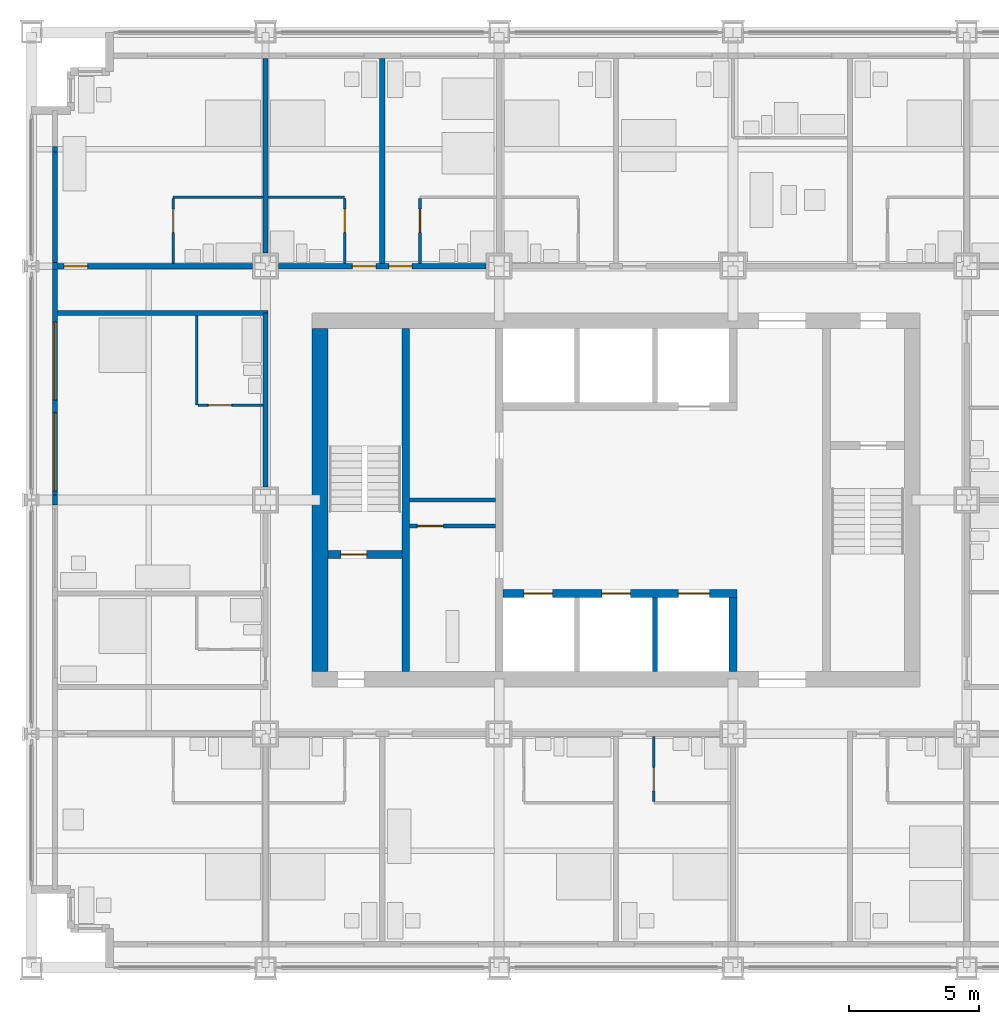
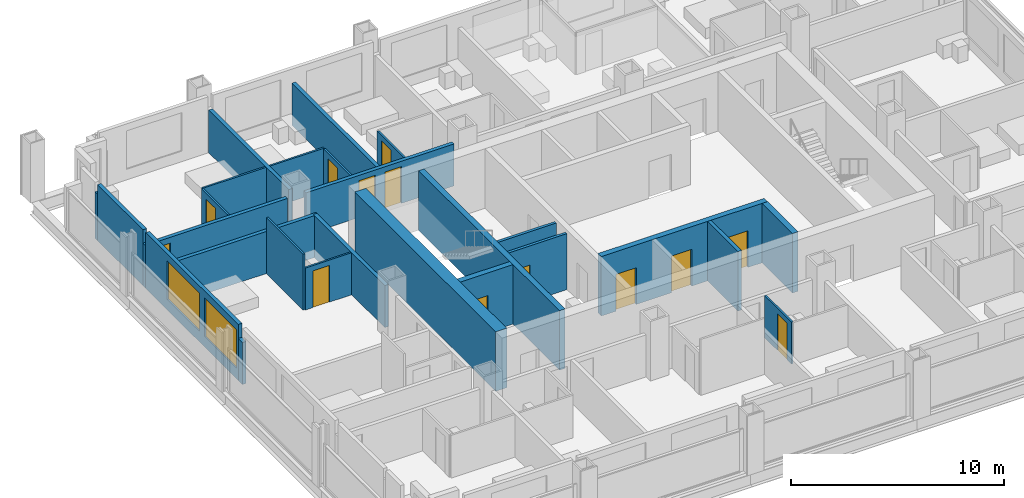
# One storey, part 10 of 16: 27 walls, 13 doors, 2 windows, 15 openings.
"""IFC4 building model written with IfcOpenShell, lengths in metres."""

from ifc_helpers import new_model, si_unit, direction, frame, frame_2d, origin, place, context, subcontext, project, spatial, rectangle, extrude, material, layer, layer_set, type_object, element, fill, save


model = new_model("IFC4")

# Units and contexts
model_context = context("Model", 3, precision=1e-05, world=origin(), true_north=direction((0.0, 1.0)))
body_context = subcontext(model_context, "Body", "Model", "MODEL_VIEW")
ifc_project = project(units=[si_unit("LENGTHUNIT", "METRE"), si_unit("AREAUNIT", "SQUARE_METRE"), si_unit("VOLUMEUNIT", "CUBIC_METRE"), si_unit("PLANEANGLEUNIT", "RADIAN"), si_unit("MASSUNIT", "GRAM", prefix="KILO")], contexts=[model_context])

# Site, building, storey
site_placement = place(None, origin())
site = spatial("IfcSite", under=ifc_project, at=site_placement, CompositionType="ELEMENT")
building_placement = place(site_placement, origin())
building = spatial("IfcBuilding", under=site, at=building_placement, Name="Loomwork Tower", CompositionType="ELEMENT")
storey_placement = place(building_placement, frame((0.0, 0.0, 97.60009765625)))
storey = spatial("IfcBuildingStorey", under=building, at=storey_placement, Name="L25", CompositionType="ELEMENT", Elevation=97.60009765625)

# Wall
ifc_material_1 = material(Name="Concrete 14000 psi (97 MPa)", Category="concrete")
ifc_layer_1 = layer(ifc_material_1, 0.300048828125)
ifc_layer_set_1 = layer_set([ifc_layer_1], Name="Core shear wall 300")
wall_type_1 = type_object("IfcWallType", Name="Core shear wall 300", PredefinedType="SHEAR", material=ifc_layer_set_1)
wall_1_placement = place(storey_placement, frame((14.39990234375, 11.39990234375, 0.0), z_axis=(0.0, 0.0, 1.0), x_axis=(0.0, 1.0, 0.0)))
element("IfcWall", 1, at=wall_1_placement, inside=storey, type_object=wall_type_1, Name="Stair A east wall L25", PredefinedType="SHEAR", context=body_context, shape_type="SweptSolid", body=[
    extrude(rectangle(XDim=13.2001953125, YDim=0.300048828125, at=frame_2d((6.60009765625, 0.0))), origin(), (0.0, 0.0, 1.0), 3.39990234375),
])

# Wall, opening, door
wall_2_placement = place(storey_placement, frame((11.39990234375, 15.89990234375, 0.0), z_axis=(0.0, 0.0, 1.0), x_axis=(1.0, 0.0, 0.0)))
wall_2 = element("IfcWall", 2, at=wall_2_placement, inside=storey, type_object=wall_type_1, Name="Stair A south wall L25", PredefinedType="SHEAR", context=body_context, shape_type="SweptSolid", body=[
    extrude(rectangle(XDim=2.85009765625, YDim=0.300048828125, at=frame_2d((1.425048828125, 0.0))), origin(), (0.0, 0.0, 1.0), 3.39990234375),
])
opening_1_placement = place(wall_2_placement, frame((0.5, 0.0, 0.0)))
opening_1 = element("IfcOpeningElement", 3, at=opening_1_placement, cuts=wall_2, Name="Opening D4", PredefinedType="OPENING", context=body_context, shape_type="SweptSolid", body=[
    extrude(rectangle(XDim=1.0, YDim=2.10009765625, at=frame_2d((0.5, 1.050048828125))), frame((0.0, 0.159912109375, 0.0), z_axis=(0.0, -1.0, 0.0), x_axis=(1.0, 0.0, 0.0)), (0.0, 0.0, 1.0), 0.320068359375),
])
ifc_material_2 = material(Name="Hollow metal door and frame")
door_type_1 = type_object("IfcDoorType", Name="Stair door 1000", OperationType="SINGLE_SWING_RIGHT", PredefinedType="DOOR", material=ifc_material_2)
door_1_placement = place(opening_1_placement, origin())
door_1 = element("IfcDoor", 4, at=door_1_placement, inside=storey, type_object=door_type_1, Name="Stair A door", OperationType="SINGLE_SWING_LEFT", OverallHeight=2.10009765625, OverallWidth=1.0, PredefinedType="DOOR", context=body_context, shape_type="SweptSolid", body=[
    extrude(rectangle(XDim=1.0, YDim=2.10009765625, at=frame_2d((0.5, 1.050048828125))), frame((0.0, 0.02490234375, 0.0), z_axis=(0.0, -1.0, 0.0), x_axis=(1.0, 0.0, 0.0)), (0.0, 0.0, 1.0), 0.050048828125),
])
fill(opening_1, door_1)

# Wall, openings, doors
wall_3_placement = place(storey_placement, frame((18.14990234375, 14.39990234375, 0.0), z_axis=(0.0, 0.0, 1.0), x_axis=(1.0, 0.0, 0.0)))
wall_3 = element("IfcWall", 5, at=wall_3_placement, inside=storey, type_object=wall_type_1, Name="Lift front wall south L25", PredefinedType="SHEAR", context=body_context, shape_type="SweptSolid", body=[
    extrude(rectangle(XDim=9.0, YDim=0.300048828125, at=frame_2d((4.5, 0.0))), origin(), (0.0, 0.0, 1.0), 3.39990234375),
])
opening_2_placement = place(wall_3_placement, frame((0.800048828125, 0.0, 0.0)))
opening_2 = element("IfcOpeningElement", 6, at=opening_2_placement, cuts=wall_3, Name="Opening LD1", PredefinedType="OPENING", context=body_context, shape_type="SweptSolid", body=[
    extrude(rectangle(XDim=1.10009765625, YDim=2.10009765625, at=frame_2d((0.550048828125, 1.050048828125))), frame((0.0, 0.159912109375, 0.0), z_axis=(0.0, -1.0, 0.0), x_axis=(1.0, 0.0, 0.0)), (0.0, 0.0, 1.0), 0.320068359375),
])
opening_3_placement = place(wall_3_placement, frame((3.800048828125, 0.0, 0.0)))
opening_3 = element("IfcOpeningElement", 7, at=opening_3_placement, cuts=wall_3, Name="Opening LD1", PredefinedType="OPENING", context=body_context, shape_type="SweptSolid", body=[
    extrude(rectangle(XDim=1.10009765625, YDim=2.10009765625, at=frame_2d((0.550048828125, 1.050048828125))), frame((0.0, 0.159912109375, 0.0), z_axis=(0.0, -1.0, 0.0), x_axis=(1.0, 0.0, 0.0)), (0.0, 0.0, 1.0), 0.320068359375),
])
opening_4_placement = place(wall_3_placement, frame((6.75, 0.0, 0.0)))
opening_4 = element("IfcOpeningElement", 8, at=opening_4_placement, cuts=wall_3, Name="Opening LD2", PredefinedType="OPENING", context=body_context, shape_type="SweptSolid", body=[
    extrude(rectangle(XDim=1.199951171875, YDim=2.10009765625, at=frame_2d((0.60009765625, 1.050048828125))), frame((0.0, 0.159912109375, 0.0), z_axis=(0.0, -1.0, 0.0), x_axis=(1.0, 0.0, 0.0)), (0.0, 0.0, 1.0), 0.320068359375),
])
ifc_material_3 = material(Name="Hollow metal door and frame")
door_type_2 = type_object("IfcDoorType", Name="Lift landing door 1100", OperationType="SLIDING_TO_LEFT", PredefinedType="DOOR", material=ifc_material_3)
door_2_placement = place(opening_2_placement, origin())
door_2 = element("IfcDoor", 9, at=door_2_placement, inside=storey, type_object=door_type_2, Name="Lift landing door LB1", OperationType="SLIDING_TO_LEFT", OverallHeight=2.10009765625, OverallWidth=1.10009765625, PredefinedType="DOOR", context=body_context, shape_type="SweptSolid", body=[
    extrude(rectangle(XDim=1.10009765625, YDim=2.10009765625, at=frame_2d((0.550048828125, 1.050048828125))), frame((0.0, 0.02490234375, 0.0), z_axis=(0.0, -1.0, 0.0), x_axis=(1.0, 0.0, 0.0)), (0.0, 0.0, 1.0), 0.050048828125),
])
fill(opening_2, door_2)
door_3_placement = place(opening_3_placement, origin())
door_3 = element("IfcDoor", 10, at=door_3_placement, inside=storey, type_object=door_type_2, Name="Lift landing door LB2", OperationType="SLIDING_TO_LEFT", OverallHeight=2.10009765625, OverallWidth=1.10009765625, PredefinedType="DOOR", context=body_context, shape_type="SweptSolid", body=[
    extrude(rectangle(XDim=1.10009765625, YDim=2.10009765625, at=frame_2d((0.550048828125, 1.050048828125))), frame((0.0, 0.02490234375, 0.0), z_axis=(0.0, -1.0, 0.0), x_axis=(1.0, 0.0, 0.0)), (0.0, 0.0, 1.0), 0.050048828125),
])
fill(opening_3, door_3)
ifc_material_4 = material(Name="Hollow metal door and frame")
door_type_3 = type_object("IfcDoorType", Name="Lift landing door 1200", OperationType="SLIDING_TO_LEFT", PredefinedType="DOOR", material=ifc_material_4)
door_4_placement = place(opening_4_placement, origin())
door_4 = element("IfcDoor", 11, at=door_4_placement, inside=storey, type_object=door_type_3, Name="Lift landing door LF1", OperationType="SLIDING_TO_LEFT", OverallHeight=2.10009765625, OverallWidth=1.199951171875, PredefinedType="DOOR", context=body_context, shape_type="SweptSolid", body=[
    extrude(rectangle(XDim=1.199951171875, YDim=2.10009765625, at=frame_2d((0.60009765625, 1.050048828125))), frame((0.0, 0.02490234375, 0.0), z_axis=(0.0, -1.0, 0.0), x_axis=(1.0, 0.0, 0.0)), (0.0, 0.0, 1.0), 0.050048828125),
])
fill(opening_4, door_4)

# Walls
wall_4_placement = place(storey_placement, frame((27.0, 11.39990234375, 0.0), z_axis=(0.0, 0.0, 1.0), x_axis=(0.0, 1.0, 0.0)))
element("IfcWall", 12, at=wall_4_placement, inside=storey, type_object=wall_type_1, Name="Lift shaft end wall south L25", PredefinedType="SHEAR", context=body_context, shape_type="SweptSolid", body=[
    extrude(rectangle(XDim=2.85009765625, YDim=0.300048828125, at=frame_2d((1.425048828125, 0.0))), origin(), (0.0, 0.0, 1.0), 3.39990234375),
])
ifc_material_5 = material(Name="Concrete 14000 psi (97 MPa)", Category="concrete")
ifc_layer_2 = layer(ifc_material_5, 0.60009765625)
ifc_layer_set_2 = layer_set([ifc_layer_2], Name="Core shear wall 600")
wall_type_2 = type_object("IfcWallType", Name="Core shear wall 600", PredefinedType="SHEAR", material=ifc_layer_set_2)
wall_5_placement = place(storey_placement, frame((11.10009765625, 11.39990234375, 0.0), z_axis=(0.0, 0.0, 1.0), x_axis=(0.0, 1.0, 0.0)))
element("IfcWall", 13, at=wall_5_placement, inside=storey, type_object=wall_type_2, Name="Core wall west L25", PredefinedType="SHEAR", context=body_context, shape_type="SweptSolid", body=[
    extrude(rectangle(XDim=13.2001953125, YDim=0.60009765625, at=frame_2d((6.60009765625, 0.0))), origin(), (0.0, 0.0, 1.0), 3.39990234375),
])

# Wall, opening, door
ifc_material_6 = material(Name="Gypsum board on steel studs, one-hour", Category="steel")
ifc_layer_3 = layer(ifc_material_6, 0.199951171875)
ifc_layer_set_3 = layer_set([ifc_layer_3], Name="Corridor wall 200")
wall_type_3 = type_object("IfcWallType", Name="Corridor wall 200", PredefinedType="PARTITIONING", material=ifc_layer_set_3)
wall_6_placement = place(storey_placement, frame((1.0, 27.0, 0.0), z_axis=(0.0, 0.0, 1.0), x_axis=(1.0, 0.0, 0.0)))
wall_6 = element("IfcWall", 14, at=wall_6_placement, inside=storey, type_object=wall_type_3, Name="North corridor wall 1", PredefinedType="PARTITIONING", context=body_context, shape_type="SweptSolid", body=[
    extrude(rectangle(XDim=7.5, YDim=0.199951171875, at=frame_2d((3.75, 0.0))), origin(), (0.0, 0.0, 1.0), 2.43798828125),
])
opening_5_placement = place(wall_6_placement, frame((0.25, 0.0, 0.0)))
opening_5 = element("IfcOpeningElement", 15, at=opening_5_placement, cuts=wall_6, Name="Opening D1", PredefinedType="OPENING", context=body_context, shape_type="SweptSolid", body=[
    extrude(rectangle(XDim=0.89990234375, YDim=2.10009765625, at=frame_2d((0.449951171875, 1.050048828125))), frame((0.0, 0.10986328125, 0.0), z_axis=(0.0, -1.0, 0.0), x_axis=(1.0, 0.0, 0.0)), (0.0, 0.0, 1.0), 0.219970703125),
])
ifc_material_7 = material(Name="Hollow metal door and frame")
door_type_4 = type_object("IfcDoorType", Name="Guest room entry door 900", OperationType="SINGLE_SWING_LEFT", PredefinedType="DOOR", material=ifc_material_7)
door_5_placement = place(opening_5_placement, origin())
door_5 = element("IfcDoor", 16, at=door_5_placement, inside=storey, type_object=door_type_4, Name="Guest room entry door L25 7", OperationType="SINGLE_SWING_LEFT", OverallHeight=2.10009765625, OverallWidth=0.89990234375, PredefinedType="DOOR", context=body_context, shape_type="SweptSolid", body=[
    extrude(rectangle(XDim=0.89990234375, YDim=2.10009765625, at=frame_2d((0.449951171875, 1.050048828125))), frame((0.0, 0.02490234375, 0.0), z_axis=(0.0, -1.0, 0.0), x_axis=(1.0, 0.0, 0.0)), (0.0, 0.0, 1.0), 0.050048828125),
])
fill(opening_5, door_5)

# Wall, openings, doors
wall_7_placement = place(storey_placement, frame((9.5, 27.0, 0.0), z_axis=(0.0, 0.0, 1.0), x_axis=(1.0, 0.0, 0.0)))
wall_7 = element("IfcWall", 17, at=wall_7_placement, inside=storey, type_object=wall_type_3, Name="North corridor wall 2", PredefinedType="PARTITIONING", context=body_context, shape_type="SweptSolid", body=[
    extrude(rectangle(XDim=8.0, YDim=0.199951171875, at=frame_2d((4.0, 0.0))), origin(), (0.0, 0.0, 1.0), 2.40478515625),
])
opening_6_placement = place(wall_7_placement, frame((2.85009765625, 0.0, 0.0)))
opening_6 = element("IfcOpeningElement", 18, at=opening_6_placement, cuts=wall_7, Name="Opening D1", PredefinedType="OPENING", context=body_context, shape_type="SweptSolid", body=[
    extrude(rectangle(XDim=0.89990234375, YDim=2.10009765625, at=frame_2d((0.449951171875, 1.050048828125))), frame((0.0, 0.10986328125, 0.0), z_axis=(0.0, -1.0, 0.0), x_axis=(1.0, 0.0, 0.0)), (0.0, 0.0, 1.0), 0.219970703125),
])
opening_7_placement = place(wall_7_placement, frame((4.25, 0.0, 0.0)))
opening_7 = element("IfcOpeningElement", 19, at=opening_7_placement, cuts=wall_7, Name="Opening D1", PredefinedType="OPENING", context=body_context, shape_type="SweptSolid", body=[
    extrude(rectangle(XDim=0.89990234375, YDim=2.10009765625, at=frame_2d((0.449951171875, 1.050048828125))), frame((0.0, 0.10986328125, 0.0), z_axis=(0.0, -1.0, 0.0), x_axis=(1.0, 0.0, 0.0)), (0.0, 0.0, 1.0), 0.219970703125),
])
door_6_placement = place(opening_6_placement, origin())
door_6 = element("IfcDoor", 20, at=door_6_placement, inside=storey, type_object=door_type_4, Name="Guest room entry door L25 8", OperationType="SINGLE_SWING_RIGHT", OverallHeight=2.10009765625, OverallWidth=0.89990234375, PredefinedType="DOOR", context=body_context, shape_type="SweptSolid", body=[
    extrude(rectangle(XDim=0.89990234375, YDim=2.10009765625, at=frame_2d((0.449951171875, 1.050048828125))), frame((0.0, 0.02490234375, 0.0), z_axis=(0.0, -1.0, 0.0), x_axis=(1.0, 0.0, 0.0)), (0.0, 0.0, 1.0), 0.050048828125),
])
fill(opening_6, door_6)
door_7_placement = place(opening_7_placement, origin())
door_7 = element("IfcDoor", 21, at=door_7_placement, inside=storey, type_object=door_type_4, Name="Guest room entry door L25 9", OperationType="SINGLE_SWING_LEFT", OverallHeight=2.10009765625, OverallWidth=0.89990234375, PredefinedType="DOOR", context=body_context, shape_type="SweptSolid", body=[
    extrude(rectangle(XDim=0.89990234375, YDim=2.10009765625, at=frame_2d((0.449951171875, 1.050048828125))), frame((0.0, 0.02490234375, 0.0), z_axis=(0.0, -1.0, 0.0), x_axis=(1.0, 0.0, 0.0)), (0.0, 0.0, 1.0), 0.050048828125),
])
fill(opening_7, door_7)

# Walls
wall_8_placement = place(storey_placement, frame((9.0, 18.5, 0.0), z_axis=(0.0, 0.0, 1.0), x_axis=(0.0, 1.0, 0.0)))
element("IfcWall", 22, at=wall_8_placement, inside=storey, type_object=wall_type_3, Name="West corridor wall 2", PredefinedType="PARTITIONING", context=body_context, shape_type="SweptSolid", body=[
    extrude(rectangle(XDim=6.699951171875, YDim=0.199951171875, at=frame_2d((3.35009765625, 0.0))), origin(), (0.0, 0.0, 1.0), 2.40478515625),
])
wall_9_placement = place(storey_placement, frame((1.0, 25.199951171875, 0.0), z_axis=(0.0, 0.0, 1.0), x_axis=(1.0, 0.0, 0.0)))
element("IfcWall", 23, at=wall_9_placement, inside=storey, type_object=wall_type_3, Name="West band end wall N", PredefinedType="PARTITIONING", context=body_context, shape_type="SweptSolid", body=[
    extrude(rectangle(XDim=8.10009765625, YDim=0.199951171875, at=frame_2d((4.050048828125, 0.0))), origin(), (0.0, 0.0, 1.0), 2.40380859375),
])

# Wall, opening, door
ifc_material_8 = material(Name="Cement board on steel studs", Category="steel")
ifc_layer_4 = layer(ifc_material_8, 0.10009765625)
ifc_layer_set_4 = layer_set([ifc_layer_4], Name="En-suite partition 100")
wall_type_4 = type_object("IfcWallType", Name="En-suite partition 100", PredefinedType="PARTITIONING", material=ifc_layer_set_4)
wall_10_placement = place(storey_placement, frame((23.949951171875, 8.89990234375, 0.0), z_axis=(0.0, 0.0, 1.0), x_axis=(0.0, -1.0, 0.0)))
wall_10 = element("IfcWall", 24, at=wall_10_placement, inside=storey, type_object=wall_type_4, Name="En-suite side wall L25 room 4", PredefinedType="PARTITIONING", context=body_context, shape_type="SweptSolid", body=[
    extrude(rectangle(XDim=2.5, YDim=0.10009765625, at=frame_2d((1.25, 0.0))), origin(), (0.0, 0.0, 1.0), 2.40380859375),
])
opening_8_placement = place(wall_10_placement, frame((1.199951171875, 0.0, 0.0)))
opening_8 = element("IfcOpeningElement", 25, at=opening_8_placement, cuts=wall_10, Name="Opening D2", PredefinedType="OPENING", context=body_context, shape_type="SweptSolid", body=[
    extrude(rectangle(XDim=0.89990234375, YDim=2.10009765625, at=frame_2d((0.449951171875, 1.050048828125))), frame((0.0, 0.06005859375, 0.0), z_axis=(0.0, -1.0, 0.0), x_axis=(1.0, 0.0, 0.0)), (0.0, 0.0, 1.0), 0.1201171875),
])
ifc_material_9 = material(Name="Hollow metal door and frame")
door_type_5 = type_object("IfcDoorType", Name="En-suite door 900", OperationType="SINGLE_SWING_LEFT", PredefinedType="DOOR", material=ifc_material_9)
door_8_placement = place(opening_8_placement, origin())
door_8 = element("IfcDoor", 26, at=door_8_placement, inside=storey, type_object=door_type_5, Name="En-suite door room 4", OperationType="SINGLE_SWING_RIGHT", OverallHeight=2.10009765625, OverallWidth=0.89990234375, PredefinedType="DOOR", context=body_context, shape_type="SweptSolid", body=[
    extrude(rectangle(XDim=0.89990234375, YDim=2.10009765625, at=frame_2d((0.449951171875, 1.050048828125))), frame((0.0, 0.02490234375, 0.0), z_axis=(0.0, -1.0, 0.0), x_axis=(1.0, 0.0, 0.0)), (0.0, 0.0, 1.0), 0.050048828125),
])
fill(opening_8, door_8)

# Wall
wall_11_placement = place(storey_placement, frame((5.449951171875, 29.64990234375, 0.0), z_axis=(0.0, 0.0, 1.0), x_axis=(1.0, 0.0, 0.0)))
element("IfcWall", 27, at=wall_11_placement, inside=storey, type_object=wall_type_4, Name="En-suite wall L25 room 7", PredefinedType="PARTITIONING", context=body_context, shape_type="SweptSolid", body=[
    extrude(rectangle(XDim=3.449951171875, YDim=0.10009765625, at=frame_2d((1.72509765625, 0.0))), origin(), (0.0, 0.0, 1.0), 2.43798828125),
])

# Wall, opening, door
wall_12_placement = place(storey_placement, frame((5.449951171875, 27.10009765625, 0.0), z_axis=(0.0, 0.0, 1.0), x_axis=(0.0, 1.0, 0.0)))
wall_12 = element("IfcWall", 28, at=wall_12_placement, inside=storey, type_object=wall_type_4, Name="En-suite side wall L25 room 7", PredefinedType="PARTITIONING", context=body_context, shape_type="SweptSolid", body=[
    extrude(rectangle(XDim=2.5, YDim=0.10009765625, at=frame_2d((1.25, 0.0))), origin(), (0.0, 0.0, 1.0), 2.43798828125),
])
opening_9_placement = place(wall_12_placement, frame((1.199951171875, 0.0, 0.0)))
opening_9 = element("IfcOpeningElement", 29, at=opening_9_placement, cuts=wall_12, Name="Opening D2", PredefinedType="OPENING", context=body_context, shape_type="SweptSolid", body=[
    extrude(rectangle(XDim=0.89990234375, YDim=2.10009765625, at=frame_2d((0.449951171875, 1.050048828125))), frame((0.0, 0.06005859375, 0.0), z_axis=(0.0, -1.0, 0.0), x_axis=(1.0, 0.0, 0.0)), (0.0, 0.0, 1.0), 0.1201171875),
])
door_9_placement = place(opening_9_placement, frame((0.89990234375, 0.0, 0.0), z_axis=(0.0, 0.0, 1.0), x_axis=(-1.0, 0.0, 0.0)))
door_9 = element("IfcDoor", 30, at=door_9_placement, inside=storey, type_object=door_type_5, Name="En-suite door room 7", OperationType="SINGLE_SWING_LEFT", OverallHeight=2.10009765625, OverallWidth=0.89990234375, PredefinedType="DOOR", context=body_context, shape_type="SweptSolid", body=[
    extrude(rectangle(XDim=0.89990234375, YDim=2.10009765625, at=frame_2d((0.449951171875, 1.050048828125))), frame((0.0, 0.02490234375, 0.0), z_axis=(0.0, -1.0, 0.0), x_axis=(1.0, 0.0, 0.0)), (0.0, 0.0, 1.0), 0.050048828125),
])
fill(opening_9, door_9)

# Wall
wall_13_placement = place(storey_placement, frame((9.10009765625, 29.64990234375, 0.0), z_axis=(0.0, 0.0, 1.0), x_axis=(1.0, 0.0, 0.0)))
element("IfcWall", 31, at=wall_13_placement, inside=storey, type_object=wall_type_4, Name="En-suite wall L25 room 8", PredefinedType="PARTITIONING", context=body_context, shape_type="SweptSolid", body=[
    extrude(rectangle(XDim=2.949951171875, YDim=0.10009765625, at=frame_2d((1.47509765625, 0.0))), origin(), (0.0, 0.0, 1.0), 2.43798828125),
])

# Wall, opening, door
wall_14_placement = place(storey_placement, frame((12.050048828125, 27.10009765625, 0.0), z_axis=(0.0, 0.0, 1.0), x_axis=(0.0, 1.0, 0.0)))
wall_14 = element("IfcWall", 32, at=wall_14_placement, inside=storey, type_object=wall_type_4, Name="En-suite side wall L25 room 8", PredefinedType="PARTITIONING", context=body_context, shape_type="SweptSolid", body=[
    extrude(rectangle(XDim=2.5, YDim=0.10009765625, at=frame_2d((1.25, 0.0))), origin(), (0.0, 0.0, 1.0), 2.40380859375),
])
opening_10_placement = place(wall_14_placement, frame((1.199951171875, 0.0, 0.0)))
opening_10 = element("IfcOpeningElement", 33, at=opening_10_placement, cuts=wall_14, Name="Opening D2", PredefinedType="OPENING", context=body_context, shape_type="SweptSolid", body=[
    extrude(rectangle(XDim=0.89990234375, YDim=2.10009765625, at=frame_2d((0.449951171875, 1.050048828125))), frame((0.0, 0.06005859375, 0.0), z_axis=(0.0, -1.0, 0.0), x_axis=(1.0, 0.0, 0.0)), (0.0, 0.0, 1.0), 0.1201171875),
])
door_10_placement = place(opening_10_placement, origin())
door_10 = element("IfcDoor", 34, at=door_10_placement, inside=storey, type_object=door_type_5, Name="En-suite door room 8", OperationType="SINGLE_SWING_RIGHT", OverallHeight=2.10009765625, OverallWidth=0.89990234375, PredefinedType="DOOR", context=body_context, shape_type="SweptSolid", body=[
    extrude(rectangle(XDim=0.89990234375, YDim=2.10009765625, at=frame_2d((0.449951171875, 1.050048828125))), frame((0.0, 0.02490234375, 0.0), z_axis=(0.0, -1.0, 0.0), x_axis=(1.0, 0.0, 0.0)), (0.0, 0.0, 1.0), 0.050048828125),
])
fill(opening_10, door_10)

wall_15_placement = place(storey_placement, frame((14.949951171875, 27.10009765625, 0.0), z_axis=(0.0, 0.0, 1.0), x_axis=(0.0, 1.0, 0.0)))
wall_15 = element("IfcWall", 35, at=wall_15_placement, inside=storey, type_object=wall_type_4, Name="En-suite side wall L25 room 9", PredefinedType="PARTITIONING", context=body_context, shape_type="SweptSolid", body=[
    extrude(rectangle(XDim=2.5, YDim=0.10009765625, at=frame_2d((1.25, 0.0))), origin(), (0.0, 0.0, 1.0), 2.40380859375),
])
opening_11_placement = place(wall_15_placement, frame((1.199951171875, 0.0, 0.0)))
opening_11 = element("IfcOpeningElement", 36, at=opening_11_placement, cuts=wall_15, Name="Opening D2", PredefinedType="OPENING", context=body_context, shape_type="SweptSolid", body=[
    extrude(rectangle(XDim=0.89990234375, YDim=2.10009765625, at=frame_2d((0.449951171875, 1.050048828125))), frame((0.0, 0.06005859375, 0.0), z_axis=(0.0, -1.0, 0.0), x_axis=(1.0, 0.0, 0.0)), (0.0, 0.0, 1.0), 0.1201171875),
])
door_11_placement = place(opening_11_placement, frame((0.89990234375, 0.0, 0.0), z_axis=(0.0, 0.0, 1.0), x_axis=(-1.0, 0.0, 0.0)))
door_11 = element("IfcDoor", 37, at=door_11_placement, inside=storey, type_object=door_type_5, Name="En-suite door room 9", OperationType="SINGLE_SWING_LEFT", OverallHeight=2.10009765625, OverallWidth=0.89990234375, PredefinedType="DOOR", context=body_context, shape_type="SweptSolid", body=[
    extrude(rectangle(XDim=0.89990234375, YDim=2.10009765625, at=frame_2d((0.449951171875, 1.050048828125))), frame((0.0, 0.02490234375, 0.0), z_axis=(0.0, -1.0, 0.0), x_axis=(1.0, 0.0, 0.0)), (0.0, 0.0, 1.0), 0.050048828125),
])
fill(opening_11, door_11)

# Wall
wall_16_placement = place(storey_placement, frame((6.35009765625, 21.64990234375, 0.0), z_axis=(0.0, 0.0, 1.0), x_axis=(0.0, 1.0, 0.0)))
element("IfcWall", 38, at=wall_16_placement, inside=storey, type_object=wall_type_4, Name="En-suite wall L25 room 15", PredefinedType="PARTITIONING", context=body_context, shape_type="SweptSolid", body=[
    extrude(rectangle(XDim=3.4501953125, YDim=0.10009765625, at=frame_2d((1.72509765625, 0.0))), origin(), (0.0, 0.0, 1.0), 3.199951171875),
])

# Wall, opening, door
wall_17_placement = place(storey_placement, frame((8.89990234375, 21.64990234375, 0.0), z_axis=(0.0, 0.0, 1.0), x_axis=(-1.0, 0.0, 0.0)))
wall_17 = element("IfcWall", 39, at=wall_17_placement, inside=storey, type_object=wall_type_4, Name="En-suite side wall L25 room 15", PredefinedType="PARTITIONING", context=body_context, shape_type="SweptSolid", body=[
    extrude(rectangle(XDim=2.5, YDim=0.10009765625, at=frame_2d((1.25, 0.0))), origin(), (0.0, 0.0, 1.0), 2.40380859375),
])
opening_12_placement = place(wall_17_placement, frame((1.199951171875, 0.0, 0.0)))
opening_12 = element("IfcOpeningElement", 40, at=opening_12_placement, cuts=wall_17, Name="Opening D2", PredefinedType="OPENING", context=body_context, shape_type="SweptSolid", body=[
    extrude(rectangle(XDim=0.89990234375, YDim=2.10009765625, at=frame_2d((0.449951171875, 1.050048828125))), frame((0.0, 0.06005859375, 0.0), z_axis=(0.0, -1.0, 0.0), x_axis=(1.0, 0.0, 0.0)), (0.0, 0.0, 1.0), 0.1201171875),
])
door_12_placement = place(opening_12_placement, frame((0.89990234375, 0.0, 0.0), z_axis=(0.0, 0.0, 1.0), x_axis=(-1.0, 0.0, 0.0)))
door_12 = element("IfcDoor", 41, at=door_12_placement, inside=storey, type_object=door_type_5, Name="En-suite door room 15", OperationType="SINGLE_SWING_LEFT", OverallHeight=2.10009765625, OverallWidth=0.89990234375, PredefinedType="DOOR", context=body_context, shape_type="SweptSolid", body=[
    extrude(rectangle(XDim=0.89990234375, YDim=2.10009765625, at=frame_2d((0.449951171875, 1.050048828125))), frame((0.0, 0.02490234375, 0.0), z_axis=(0.0, -1.0, 0.0), x_axis=(1.0, 0.0, 0.0)), (0.0, 0.0, 1.0), 0.050048828125),
])
fill(opening_12, door_12)

# Walls
ifc_material_10 = material(Name="Gypsum board on steel studs, acoustic", Category="steel")
ifc_layer_5 = layer(ifc_material_10, 0.199951171875)
ifc_layer_set_5 = layer_set([ifc_layer_5], Name="Guest room party wall 200")
wall_type_5 = type_object("IfcWallType", Name="Guest room party wall 200", PredefinedType="PARTITIONING", material=ifc_layer_set_5)
wall_18_placement = place(storey_placement, frame((9.0, 27.5, 0.0), z_axis=(0.0, 0.0, 1.0), x_axis=(0.0, 1.0, 0.0)))
element("IfcWall", 42, at=wall_18_placement, inside=storey, type_object=wall_type_5, Name="Guest room party wall N 9", PredefinedType="PARTITIONING", context=body_context, shape_type="SweptSolid", body=[
    extrude(rectangle(XDim=7.5, YDim=0.199951171875, at=frame_2d((3.75, 0.0))), origin(), (0.0, 0.0, 1.0), 2.43798828125),
])
wall_19_placement = place(storey_placement, frame((13.5, 27.10009765625, 0.0), z_axis=(0.0, 0.0, 1.0), x_axis=(0.0, 1.0, 0.0)))
element("IfcWall", 43, at=wall_19_placement, inside=storey, type_object=wall_type_5, Name="Guest room party wall N 13.5", PredefinedType="PARTITIONING", context=body_context, shape_type="SweptSolid", body=[
    extrude(rectangle(XDim=7.89990234375, YDim=0.199951171875, at=frame_2d((3.949951171875, 0.0))), origin(), (0.0, 0.0, 1.0), 2.40380859375),
])
ifc_material_11 = material(Name="Insulated steel stud wall with gypsum lining", Category="steel")
ifc_layer_6 = layer(ifc_material_11, 0.199951171875)
ifc_layer_set_6 = layer_set([ifc_layer_6], Name="Inner skin wall 200")
wall_type_6 = type_object("IfcWallType", Name="Inner skin wall 200", PredefinedType="SOLIDWALL", material=ifc_layer_set_6)
wall_20_placement = place(storey_placement, frame((0.89990234375, 17.80615234375, 0.0), z_axis=(0.0, 0.0, 1.0), x_axis=(0.0, 1.0, 0.0)))
element("IfcWall", 44, at=wall_20_placement, inside=storey, type_object=wall_type_6, Name="Inner skin wall W bay 6", PredefinedType="SOLIDWALL", context=body_context, shape_type="SweptSolid", body=[
    extrude(rectangle(XDim=0.3876953125, YDim=0.199951171875, at=frame_2d((0.19384765625, 0.0))), origin(), (0.0, 0.0, 1.0), 2.40380859375),
])

# Wall, openings, windows
wall_21_placement = place(storey_placement, frame((0.89990234375, 18.19384765625, 0.0), z_axis=(0.0, 0.0, 1.0), x_axis=(0.0, 1.0, 0.0)))
wall_21 = element("IfcWall", 45, at=wall_21_placement, inside=storey, type_object=wall_type_6, Name="Inner skin wall W bay 7", PredefinedType="SOLIDWALL", context=body_context, shape_type="SweptSolid", body=[
    extrude(rectangle(XDim=8.6708984375, YDim=0.199951171875, at=frame_2d((4.33544921875, 0.0))), origin(), (0.0, 0.0, 1.0), 3.199951171875),
])
opening_13_placement = place(wall_21_placement, frame((0.15625, 0.0, 0.60009765625)))
opening_13 = element("IfcOpeningElement", 46, at=opening_13_placement, cuts=wall_21, Name="Opening CH1", PredefinedType="OPENING", context=body_context, shape_type="SweptSolid", body=[
    extrude(rectangle(XDim=3.0, YDim=2.199951171875, at=frame_2d((1.5, 1.10009765625))), frame((0.0, 0.10986328125, 0.0), z_axis=(0.0, -1.0, 0.0), x_axis=(1.0, 0.0, 0.0)), (0.0, 0.0, 1.0), 0.219970703125),
])
opening_14_placement = place(wall_21_placement, frame((3.65625, 0.0, 0.60009765625)))
opening_14 = element("IfcOpeningElement", 47, at=opening_14_placement, cuts=wall_21, Name="Opening CH1", PredefinedType="OPENING", context=body_context, shape_type="SweptSolid", body=[
    extrude(rectangle(XDim=3.0, YDim=2.199951171875, at=frame_2d((1.5, 1.10009765625))), frame((0.0, 0.10986328125, 0.0), z_axis=(0.0, -1.0, 0.0), x_axis=(1.0, 0.0, 0.0)), (0.0, 0.0, 1.0), 0.219970703125),
])
ifc_material_12 = material(Name="Aluminium frame with clear insulated glass", Category="aluminium")
window_type = type_object("IfcWindowType", Name="Chicago window 3000", PartitioningType="TRIPLE_PANEL_VERTICAL", PredefinedType="WINDOW", material=ifc_material_12)
window_1_placement = place(opening_13_placement, origin())
window_1 = element("IfcWindow", 48, at=window_1_placement, inside=storey, type_object=window_type, Name="Chicago window L25 bay 12", OverallHeight=2.199951171875, OverallWidth=3.0, PartitioningType="TRIPLE_PANEL_VERTICAL", PredefinedType="WINDOW", context=body_context, shape_type="SweptSolid", body=[
    extrude(rectangle(XDim=3.0, YDim=2.199951171875, at=frame_2d((1.5, 1.10009765625))), frame((0.0, 0.030029296875, 0.0), z_axis=(0.0, -1.0, 0.0), x_axis=(1.0, 0.0, 0.0)), (0.0, 0.0, 1.0), 0.06005859375),
])
fill(opening_13, window_1)
window_2_placement = place(opening_14_placement, origin())
window_2 = element("IfcWindow", 49, at=window_2_placement, inside=storey, type_object=window_type, Name="Chicago window L25 bay 12", OverallHeight=2.199951171875, OverallWidth=3.0, PartitioningType="TRIPLE_PANEL_VERTICAL", PredefinedType="WINDOW", context=body_context, shape_type="SweptSolid", body=[
    extrude(rectangle(XDim=3.0, YDim=2.199951171875, at=frame_2d((1.5, 1.10009765625))), frame((0.0, 0.030029296875, 0.0), z_axis=(0.0, -1.0, 0.0), x_axis=(1.0, 0.0, 0.0)), (0.0, 0.0, 1.0), 0.06005859375),
])
fill(opening_14, window_2)

# Walls
wall_22_placement = place(storey_placement, frame((0.89990234375, 26.86474609375, 0.0), z_axis=(0.0, 0.0, 1.0), x_axis=(0.0, 1.0, 0.0)))
element("IfcWall", 50, at=wall_22_placement, inside=storey, type_object=wall_type_6, Name="Inner skin wall W bay 8", PredefinedType="SOLIDWALL", context=body_context, shape_type="SweptSolid", body=[
    extrude(rectangle(XDim=0.2705078125, YDim=0.199951171875, at=frame_2d((0.13525390625, 0.0))), origin(), (0.0, 0.0, 1.0), 2.43798828125),
])
wall_23_placement = place(storey_placement, frame((0.89990234375, 27.13525390625, 0.0), z_axis=(0.0, 0.0, 1.0), x_axis=(0.0, 1.0, 0.0)))
element("IfcWall", 51, at=wall_23_placement, inside=storey, type_object=wall_type_6, Name="Inner skin wall W bay 9", PredefinedType="SOLIDWALL", context=body_context, shape_type="SweptSolid", body=[
    extrude(rectangle(XDim=4.25732421875, YDim=0.199951171875, at=frame_2d((2.128662109375, 0.0))), origin(), (0.0, 0.0, 1.0), 3.199951171875),
])
wall_24_placement = place(storey_placement, frame((0.89990234375, 31.392578125, 0.0), z_axis=(0.0, 0.0, 1.0), x_axis=(0.0, 1.0, 0.0)))
element("IfcWall", 52, at=wall_24_placement, inside=storey, type_object=wall_type_6, Name="Inner skin wall W bay 10", PredefinedType="SOLIDWALL", context=body_context, shape_type="SweptSolid", body=[
    extrude(rectangle(XDim=0.21484375, YDim=0.199951171875, at=frame_2d((0.107421875, 0.0))), origin(), (0.0, 0.0, 1.0), 2.660888671875),
])
ifc_material_13 = material(Name="Concrete 14000 psi (97 MPa)", Category="concrete")
ifc_layer_7 = layer(ifc_material_13, 0.199951171875)
ifc_layer_set_7 = layer_set([ifc_layer_7], Name="Lift shaft wall 200")
wall_type_7 = type_object("IfcWallType", Name="Lift shaft wall 200", PredefinedType="SHEAR", material=ifc_layer_set_7)
wall_25_placement = place(storey_placement, frame((24.0, 11.39990234375, 0.0), z_axis=(0.0, 0.0, 1.0), x_axis=(0.0, 1.0, 0.0)))
element("IfcWall", 53, at=wall_25_placement, inside=storey, type_object=wall_type_7, Name="Lift shaft separation wall south 2 L25", PredefinedType="SHEAR", context=body_context, shape_type="SweptSolid", body=[
    extrude(rectangle(XDim=2.85009765625, YDim=0.199951171875, at=frame_2d((1.425048828125, 0.0))), origin(), (0.0, 0.0, 1.0), 3.39990234375),
])
ifc_material_14 = material(Name="Gypsum board on steel studs", Category="steel")
ifc_layer_8 = layer(ifc_material_14, 0.14990234375)
ifc_layer_set_8 = layer_set([ifc_layer_8], Name="Partition 150 two-hour")
wall_type_8 = type_object("IfcWallType", Name="Partition 150 two-hour", PredefinedType="PARTITIONING", material=ifc_layer_set_8)
wall_26_placement = place(storey_placement, frame((14.550048828125, 18.0, 0.0), z_axis=(0.0, 0.0, 1.0), x_axis=(1.0, 0.0, 0.0)))
element("IfcWall", 54, at=wall_26_placement, inside=storey, type_object=wall_type_8, Name="Back-of-house dividing wall L25", PredefinedType="PARTITIONING", context=body_context, shape_type="SweptSolid", body=[
    extrude(rectangle(XDim=3.300048828125, YDim=0.14990234375, at=frame_2d((1.64990234375, 0.0))), origin(), (0.0, 0.0, 1.0), 3.199951171875),
])

# Wall, opening, door
ifc_material_15 = material(Name="Gypsum board on steel studs, one-hour", Category="steel")
ifc_layer_9 = layer(ifc_material_15, 0.14990234375)
ifc_layer_set_9 = layer_set([ifc_layer_9], Name="Service partition 150")
wall_type_9 = type_object("IfcWallType", Name="Service partition 150", PredefinedType="PARTITIONING", material=ifc_layer_set_9)
wall_27_placement = place(storey_placement, frame((14.550048828125, 17.0, 0.0), z_axis=(0.0, 0.0, 1.0), x_axis=(1.0, 0.0, 0.0)))
wall_27 = element("IfcWall", 55, at=wall_27_placement, inside=storey, type_object=wall_type_9, Name="Riser enclosure L25", PredefinedType="PARTITIONING", context=body_context, shape_type="SweptSolid", body=[
    extrude(rectangle(XDim=3.300048828125, YDim=0.14990234375, at=frame_2d((1.64990234375, 0.0))), origin(), (0.0, 0.0, 1.0), 3.199951171875),
])
opening_15_placement = place(wall_27_placement, frame((0.300048828125, 0.0, 0.0)))
opening_15 = element("IfcOpeningElement", 56, at=opening_15_placement, cuts=wall_27, Name="Opening D18", PredefinedType="OPENING", context=body_context, shape_type="SweptSolid", body=[
    extrude(rectangle(XDim=1.0, YDim=2.10009765625, at=frame_2d((0.5, 1.050048828125))), frame((0.0, 0.0849609375, 0.0), z_axis=(0.0, -1.0, 0.0), x_axis=(1.0, 0.0, 0.0)), (0.0, 0.0, 1.0), 0.169921875),
])
ifc_material_16 = material(Name="Hollow metal door and frame")
door_type_6 = type_object("IfcDoorType", Name="Ninety-minute service door 1000", OperationType="SINGLE_SWING_LEFT", PredefinedType="DOOR", material=ifc_material_16)
door_13_placement = place(opening_15_placement, frame((1.0, 0.0, 0.0), z_axis=(0.0, 0.0, 1.0), x_axis=(-1.0, 0.0, 0.0)))
door_13 = element("IfcDoor", 57, at=door_13_placement, inside=storey, type_object=door_type_6, Name="Riser access door", OperationType="SINGLE_SWING_RIGHT", OverallHeight=2.10009765625, OverallWidth=1.0, PredefinedType="DOOR", context=body_context, shape_type="SweptSolid", body=[
    extrude(rectangle(XDim=1.0, YDim=2.10009765625, at=frame_2d((0.5, 1.050048828125))), frame((0.0, 0.02490234375, 0.0), z_axis=(0.0, -1.0, 0.0), x_axis=(1.0, 0.0, 0.0)), (0.0, 0.0, 1.0), 0.050048828125),
])
fill(opening_15, door_13)

save(model, "model.ifc")
